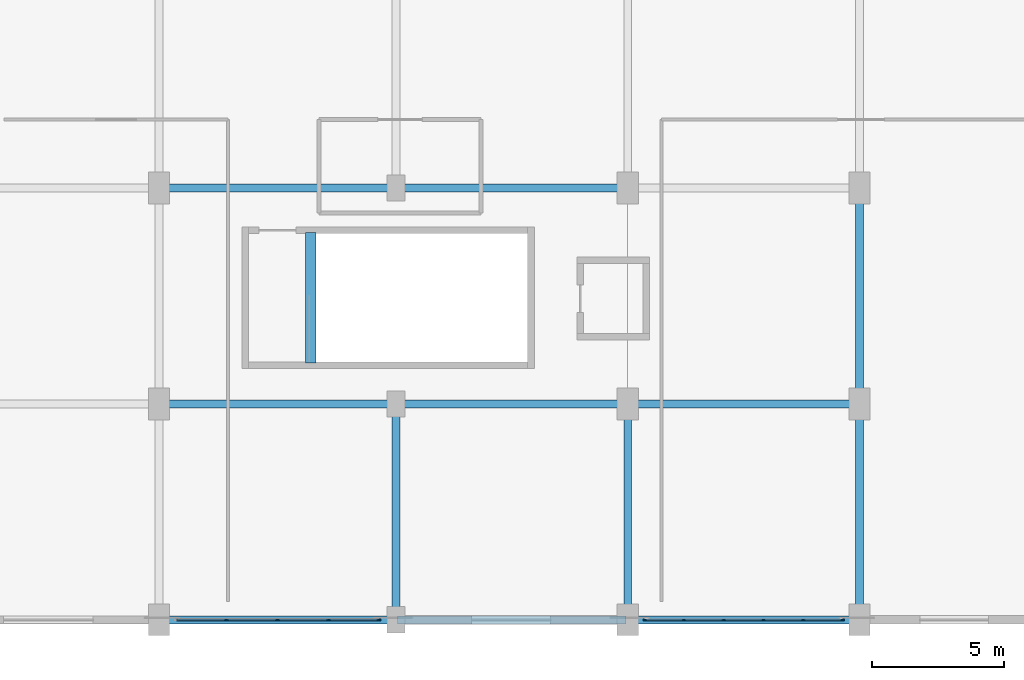
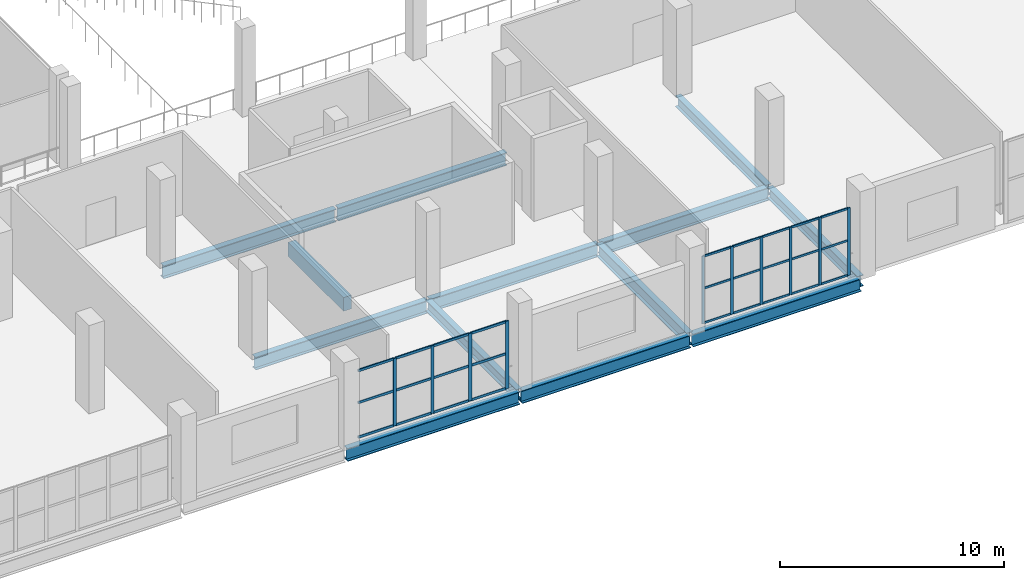
# One storey, part 15 of 104: 37 members, 13 beams, 2 elements without a shape of their own.
"""IFC4 building model written with IfcOpenShell, lengths in metres."""

from ifc_helpers import new_model, si_unit, direction, frame, origin, origin_2d, place, context, subcontext, project, spatial, rectangle, i_section, extrude, material, material_profile, profile_set, type_object, element, aggregate, save


model = new_model("IFC4")

# Units and contexts
model_context = context("Model", 3, precision=1e-05, world=origin(), true_north=direction((0.0, 1.0)))
body_context = subcontext(model_context, "Body", "Model", "MODEL_VIEW")
ifc_project = project(units=[si_unit("LENGTHUNIT", "METRE"), si_unit("AREAUNIT", "SQUARE_METRE"), si_unit("VOLUMEUNIT", "CUBIC_METRE"), si_unit("PLANEANGLEUNIT", "RADIAN"), si_unit("MASSUNIT", "GRAM", prefix="KILO")], contexts=[model_context])

# Site, building, storey
site_placement = place(None, origin())
site = spatial("IfcSite", under=ifc_project, at=site_placement, CompositionType="ELEMENT")
building_placement = place(site_placement, origin())
building = spatial("IfcBuilding", under=site, at=building_placement, Name="Koshinbarg Plaza Stadium", CompositionType="ELEMENT")
storey_placement = place(building_placement, frame((0.0, 0.0, 19.800048828125)))
storey = spatial("IfcBuildingStorey", under=building, at=storey_placement, Name="L04", CompositionType="ELEMENT", Elevation=19.800048828125)

# Beams
ifc_material_1 = material(Name="Concrete C40/50", Category="concrete")
ifc_material_profile_1 = material_profile(ifc_material_1, rectangle(XDim=0.39990234375, YDim=0.75, at=origin_2d()), Name="RC 400x750")
ifc_profile_set_1 = profile_set([ifc_material_profile_1], Name="Concrete C40/50")
beam_type_1 = type_object("IfcBeamType", Name="BM-RCG-03", PredefinedType="USERDEFINED", material=ifc_profile_set_1)
beam_1_placement = place(storey_placement, frame((60.360107421875, 9.75, -0.375), z_axis=(0.0, 1.0, 0.0), x_axis=(-1.0, 0.0, 0.0)))
element("IfcBeam", 1, at=beam_1_placement, inside=storey, type_object=beam_type_1, Name="L04 stair landing header beam C13", ObjectType="GIRDER", PredefinedType="USERDEFINED", context=body_context, shape_type="SweptSolid", body=[
    extrude(rectangle(XDim=0.39990234375, YDim=0.75, at=origin_2d()), origin(), (0.0, 0.0, 1.0), 4.969970703125),
])
ifc_material_2 = material(Name="Steel S355", Category="steel")
ifc_material_profile_2 = material_profile(ifc_material_2, i_section(OverallWidth=0.300048828125, OverallDepth=0.60009765625, WebThickness=0.015380859375, FlangeThickness=0.030029296875, at=origin_2d()), Name="HEB 600")
ifc_profile_set_2 = profile_set([ifc_material_profile_2], Name="Steel S355")
beam_type_2 = type_object("IfcBeamType", Name="BM-SGIR-02", PredefinedType="USERDEFINED", material=ifc_profile_set_2)
for number, where, z_axis, x_axis, name in (
    (2, (63.60009765625, 0.06005859375, -0.60009765625), (0.0, 1.0, 0.0), (-1.0, 0.0, 0.0), "L04 Y girder 9/A-B"),
    (3, (81.199951171875, 0.06005859375, -0.60009765625), (0.0, 1.0, 0.0), (-1.0, 0.0, 0.0), "L04 Y girder 11/A-B"),
):
    element("IfcBeam", number, at=place(storey_placement, frame(where, z_axis=z_axis, x_axis=x_axis)), inside=storey, type_object=beam_type_2, Name=name, ObjectType="GIRDER", PredefinedType="USERDEFINED", context=body_context, shape_type="SweptSolid", body=[
        extrude(i_section(OverallWidth=0.300048828125, OverallDepth=0.60009765625, WebThickness=0.015380859375, FlangeThickness=0.030029296875, at=origin_2d()), origin(), (0.0, 0.0, 1.0), 8.079833984375),
    ])
beam_2_placement = place(storey_placement, frame((81.199951171875, 8.260009765625, -0.60009765625), z_axis=(0.0, 1.0, 0.0), x_axis=(-1.0, 0.0, 0.0)))
element("IfcBeam", 4, at=beam_2_placement, inside=storey, type_object=beam_type_2, Name="L04 Y girder 11/B-C", ObjectType="GIRDER", PredefinedType="USERDEFINED", context=body_context, shape_type="SweptSolid", body=[
    extrude(i_section(OverallWidth=0.300048828125, OverallDepth=0.60009765625, WebThickness=0.015380859375, FlangeThickness=0.030029296875, at=origin_2d()), origin(), (0.0, 0.0, 1.0), 8.080078125),
])
ifc_material_profile_3 = material_profile(ifc_material_2, i_section(OverallWidth=0.300048828125, OverallDepth=0.699951171875, WebThickness=0.01708984375, FlangeThickness=0.031982421875, at=origin_2d()), Name="HEB 700")
ifc_profile_set_3 = profile_set([ifc_material_profile_3], Name="Steel S355")
beam_type_3 = type_object("IfcBeamType", Name="BM-SGIR-03", PredefinedType="USERDEFINED", material=ifc_profile_set_3)
beam_3_placement = place(storey_placement, frame((54.659912109375, 0.0, -0.650146484375), z_axis=(1.0, 0.0, 0.0), x_axis=(0.0, 1.0, 0.0)))
element("IfcBeam", 5, at=beam_3_placement, inside=storey, type_object=beam_type_3, Name="L04 X girder A/8-9", ObjectType="GIRDER", PredefinedType="USERDEFINED", context=body_context, shape_type="SweptSolid", body=[
    extrude(i_section(OverallWidth=0.300048828125, OverallDepth=0.699951171875, WebThickness=0.01708984375, FlangeThickness=0.031982421875, at=origin_2d()), origin(), (0.0, 0.0, 1.0), 8.880126953125),
])
beam_4_placement = place(storey_placement, frame((63.659912109375, 0.0, -0.650146484375), z_axis=(1.0, 0.0, 0.0), x_axis=(0.0, 1.0, 0.0)))
element("IfcBeam", 6, at=beam_4_placement, inside=storey, type_object=beam_type_3, Name="L04 X girder A/9-10", ObjectType="GIRDER", PredefinedType="USERDEFINED", context=body_context, shape_type="SweptSolid", body=[
    extrude(i_section(OverallWidth=0.300048828125, OverallDepth=0.699951171875, WebThickness=0.01708984375, FlangeThickness=0.031982421875, at=origin_2d()), origin(), (0.0, 0.0, 1.0), 8.68017578125),
])
beam_5_placement = place(storey_placement, frame((72.4599609375, 0.0, -0.650146484375), z_axis=(1.0, 0.0, 0.0), x_axis=(0.0, 1.0, 0.0)))
element("IfcBeam", 7, at=beam_5_placement, inside=storey, type_object=beam_type_3, Name="L04 X girder A/10-11", ObjectType="GIRDER", PredefinedType="USERDEFINED", context=body_context, shape_type="SweptSolid", body=[
    extrude(i_section(OverallWidth=0.300048828125, OverallDepth=0.699951171875, WebThickness=0.01708984375, FlangeThickness=0.031982421875, at=origin_2d()), origin(), (0.0, 0.0, 1.0), 8.679931640625),
])
beam_6_placement = place(storey_placement, frame((54.659912109375, 8.199951171875, -0.650146484375), z_axis=(1.0, 0.0, 0.0), x_axis=(0.0, 1.0, 0.0)))
element("IfcBeam", 8, at=beam_6_placement, inside=storey, type_object=beam_type_3, Name="L04 X girder B/8-9", ObjectType="GIRDER", PredefinedType="USERDEFINED", context=body_context, shape_type="SweptSolid", body=[
    extrude(i_section(OverallWidth=0.300048828125, OverallDepth=0.699951171875, WebThickness=0.01708984375, FlangeThickness=0.031982421875, at=origin_2d()), origin(), (0.0, 0.0, 1.0), 8.880126953125),
])
beam_7_placement = place(storey_placement, frame((63.659912109375, 8.199951171875, -0.650146484375), z_axis=(1.0, 0.0, 0.0), x_axis=(0.0, 1.0, 0.0)))
element("IfcBeam", 9, at=beam_7_placement, inside=storey, type_object=beam_type_3, Name="L04 X girder B/9-10", ObjectType="GIRDER", PredefinedType="USERDEFINED", context=body_context, shape_type="SweptSolid", body=[
    extrude(i_section(OverallWidth=0.300048828125, OverallDepth=0.699951171875, WebThickness=0.01708984375, FlangeThickness=0.031982421875, at=origin_2d()), origin(), (0.0, 0.0, 1.0), 8.68017578125),
])
beam_8_placement = place(storey_placement, frame((72.4599609375, 8.199951171875, -0.650146484375), z_axis=(1.0, 0.0, 0.0), x_axis=(0.0, 1.0, 0.0)))
element("IfcBeam", 10, at=beam_8_placement, inside=storey, type_object=beam_type_3, Name="L04 X girder B/10-11", ObjectType="GIRDER", PredefinedType="USERDEFINED", context=body_context, shape_type="SweptSolid", body=[
    extrude(i_section(OverallWidth=0.300048828125, OverallDepth=0.699951171875, WebThickness=0.01708984375, FlangeThickness=0.031982421875, at=origin_2d()), origin(), (0.0, 0.0, 1.0), 8.679931640625),
])
beam_9_placement = place(storey_placement, frame((54.659912109375, 16.39990234375, -0.650146484375), z_axis=(1.0, 0.0, 0.0), x_axis=(0.0, 1.0, 0.0)))
element("IfcBeam", 11, at=beam_9_placement, inside=storey, type_object=beam_type_3, Name="L04 X girder C/8-9", ObjectType="GIRDER", PredefinedType="USERDEFINED", context=body_context, shape_type="SweptSolid", body=[
    extrude(i_section(OverallWidth=0.300048828125, OverallDepth=0.699951171875, WebThickness=0.01708984375, FlangeThickness=0.031982421875, at=origin_2d()), origin(), (0.0, 0.0, 1.0), 8.880126953125),
])
beam_10_placement = place(storey_placement, frame((63.659912109375, 16.39990234375, -0.650146484375), z_axis=(1.0, 0.0, 0.0), x_axis=(0.0, 1.0, 0.0)))
element("IfcBeam", 12, at=beam_10_placement, inside=storey, type_object=beam_type_3, Name="L04 X girder C/9-10", ObjectType="GIRDER", PredefinedType="USERDEFINED", context=body_context, shape_type="SweptSolid", body=[
    extrude(i_section(OverallWidth=0.300048828125, OverallDepth=0.699951171875, WebThickness=0.01708984375, FlangeThickness=0.031982421875, at=origin_2d()), origin(), (0.0, 0.0, 1.0), 8.68017578125),
])
beam_11_placement = place(storey_placement, frame((72.39990234375, 0.06005859375, -0.650146484375), z_axis=(0.0, 1.0, 0.0), x_axis=(-1.0, 0.0, 0.0)))
element("IfcBeam", 13, at=beam_11_placement, inside=storey, type_object=beam_type_3, Name="L04 Y girder 10/A-B", ObjectType="GIRDER", PredefinedType="USERDEFINED", context=body_context, shape_type="SweptSolid", body=[
    extrude(i_section(OverallWidth=0.300048828125, OverallDepth=0.699951171875, WebThickness=0.01708984375, FlangeThickness=0.031982421875, at=origin_2d()), origin(), (0.0, 0.0, 1.0), 8.079833984375),
])

# Curtain wall, members
ifc_material_3 = material(Name="Thermally broken anodised aluminium and low-E double glazing", Category="aluminium")
curtain_wall_type_1 = type_object("IfcCurtainWallType", Name="CW-SYS-13", PredefinedType="NOTDEFINED", material=ifc_material_3)
curtain_wall_1_placement = place(storey_placement, origin())
curtain_wall_1 = element("IfcCurtainWall", 14, at=curtain_wall_1_placement, inside=storey, type_object=curtain_wall_type_1, Name="L04 unitised curtain wall CW-L04-108", PredefinedType="NOTDEFINED")
ifc_material_4 = material(Name="Anodised aluminium mullion", Category="aluminium")
ifc_material_profile_4 = material_profile(ifc_material_4, rectangle(XDim=0.06005859375, YDim=0.139892578125, at=origin_2d()), Name="ALU 60x140")
ifc_profile_set_4 = profile_set([ifc_material_profile_4], Name="Anodised aluminium mullion")
member_type_1 = type_object("IfcMemberType", Name="CW-MUL-01", PredefinedType="MULLION", material=ifc_profile_set_4)
member_1_placement = place(storey_placement, frame((80.550048828125, 0.0, 0.0), z_axis=(0.0, 0.0, 1.0), x_axis=(0.0, -1.0, 0.0)))
member_1 = element("IfcMember", 15, at=member_1_placement, type_object=member_type_1, Name="CW13 mullion 1", PredefinedType="MULLION", context=body_context, shape_type="SweptSolid", body=[
    extrude(rectangle(XDim=0.06005859375, YDim=0.139892578125, at=origin_2d()), origin(), (0.0, 0.0, 1.0), 3.679931640625),
])
member_2_placement = place(storey_placement, frame((79.068115234375, 0.0, 0.0), z_axis=(0.0, 0.0, 1.0), x_axis=(0.0, -1.0, 0.0)))
member_2 = element("IfcMember", 16, at=member_2_placement, type_object=member_type_1, Name="CW13 mullion 2", PredefinedType="MULLION", context=body_context, shape_type="SweptSolid", body=[
    extrude(rectangle(XDim=0.06005859375, YDim=0.139892578125, at=origin_2d()), origin(), (0.0, 0.0, 1.0), 3.679931640625),
])
member_3_placement = place(storey_placement, frame((77.555908203125, 0.0, 0.0), z_axis=(0.0, 0.0, 1.0), x_axis=(0.0, -1.0, 0.0)))
member_3 = element("IfcMember", 17, at=member_3_placement, type_object=member_type_1, Name="CW13 mullion 3", PredefinedType="MULLION", context=body_context, shape_type="SweptSolid", body=[
    extrude(rectangle(XDim=0.06005859375, YDim=0.139892578125, at=origin_2d()), origin(), (0.0, 0.0, 1.0), 3.679931640625),
])
member_4_placement = place(storey_placement, frame((76.0439453125, 0.0, 0.0), z_axis=(0.0, 0.0, 1.0), x_axis=(0.0, -1.0, 0.0)))
member_4 = element("IfcMember", 18, at=member_4_placement, type_object=member_type_1, Name="CW13 mullion 4", PredefinedType="MULLION", context=body_context, shape_type="SweptSolid", body=[
    extrude(rectangle(XDim=0.06005859375, YDim=0.139892578125, at=origin_2d()), origin(), (0.0, 0.0, 1.0), 3.679931640625),
])
member_5_placement = place(storey_placement, frame((74.531982421875, 0.0, 0.0), z_axis=(0.0, 0.0, 1.0), x_axis=(0.0, -1.0, 0.0)))
member_5 = element("IfcMember", 19, at=member_5_placement, type_object=member_type_1, Name="CW13 mullion 5", PredefinedType="MULLION", context=body_context, shape_type="SweptSolid", body=[
    extrude(rectangle(XDim=0.06005859375, YDim=0.139892578125, at=origin_2d()), origin(), (0.0, 0.0, 1.0), 3.679931640625),
])
member_6_placement = place(storey_placement, frame((73.050048828125, 0.0, 0.0), z_axis=(0.0, 0.0, 1.0), x_axis=(0.0, -1.0, 0.0)))
member_6 = element("IfcMember", 20, at=member_6_placement, type_object=member_type_1, Name="CW13 mullion 6", PredefinedType="MULLION", context=body_context, shape_type="SweptSolid", body=[
    extrude(rectangle(XDim=0.06005859375, YDim=0.139892578125, at=origin_2d()), origin(), (0.0, 0.0, 1.0), 3.679931640625),
])

curtain_wall_type_2 = type_object("IfcCurtainWallType", Name="CW-SYS-14", PredefinedType="NOTDEFINED", material=ifc_material_3)
curtain_wall_2_placement = place(storey_placement, origin())
curtain_wall_2 = element("IfcCurtainWall", 21, at=curtain_wall_2_placement, inside=storey, type_object=curtain_wall_type_2, Name="L04 unitised curtain wall CW-L04-109", PredefinedType="NOTDEFINED")
ifc_material_profile_5 = material_profile(ifc_material_4, rectangle(XDim=0.06005859375, YDim=0.159912109375, at=origin_2d()), Name="ALU 60x160")
ifc_profile_set_5 = profile_set([ifc_material_profile_5], Name="Anodised aluminium mullion")
member_type_2 = type_object("IfcMemberType", Name="CW-MUL-02", PredefinedType="MULLION", material=ifc_profile_set_5)
member_7_placement = place(storey_placement, frame((62.949951171875, 0.0, 0.0), z_axis=(0.0, 0.0, 1.0), x_axis=(0.0, -1.0, 0.0)))
member_7 = element("IfcMember", 22, at=member_7_placement, type_object=member_type_2, Name="CW14 mullion 1", PredefinedType="MULLION", context=body_context, shape_type="SweptSolid", body=[
    extrude(rectangle(XDim=0.06005859375, YDim=0.159912109375, at=origin_2d()), origin(), (0.0, 0.0, 1.0), 3.679931640625),
])
member_8_placement = place(storey_placement, frame((61.0400390625, 0.0, 0.0), z_axis=(0.0, 0.0, 1.0), x_axis=(0.0, -1.0, 0.0)))
member_8 = element("IfcMember", 23, at=member_8_placement, type_object=member_type_2, Name="CW14 mullion 2", PredefinedType="MULLION", context=body_context, shape_type="SweptSolid", body=[
    extrude(rectangle(XDim=0.06005859375, YDim=0.159912109375, at=origin_2d()), origin(), (0.0, 0.0, 1.0), 3.679931640625),
])
member_9_placement = place(storey_placement, frame((59.10009765625, 0.0, 0.0), z_axis=(0.0, 0.0, 1.0), x_axis=(0.0, -1.0, 0.0)))
member_9 = element("IfcMember", 24, at=member_9_placement, type_object=member_type_2, Name="CW14 mullion 3", PredefinedType="MULLION", context=body_context, shape_type="SweptSolid", body=[
    extrude(rectangle(XDim=0.06005859375, YDim=0.159912109375, at=origin_2d()), origin(), (0.0, 0.0, 1.0), 3.679931640625),
])
member_10_placement = place(storey_placement, frame((57.159912109375, 0.0, 0.0), z_axis=(0.0, 0.0, 1.0), x_axis=(0.0, -1.0, 0.0)))
member_10 = element("IfcMember", 25, at=member_10_placement, type_object=member_type_2, Name="CW14 mullion 4", PredefinedType="MULLION", context=body_context, shape_type="SweptSolid", body=[
    extrude(rectangle(XDim=0.06005859375, YDim=0.159912109375, at=origin_2d()), origin(), (0.0, 0.0, 1.0), 3.679931640625),
])

# Member
ifc_material_5 = material(Name="Anodised aluminium transom", Category="aluminium")
ifc_material_profile_6 = material_profile(ifc_material_5, rectangle(XDim=0.06005859375, YDim=0.110107421875, at=origin_2d()), Name="ALU 60x110")
ifc_profile_set_6 = profile_set([ifc_material_profile_6], Name="Anodised aluminium transom")
member_type_3 = type_object("IfcMemberType", Name="CW-TRN-01", PredefinedType="USERDEFINED", material=ifc_profile_set_6)
member_11_placement = place(storey_placement, frame((80.52001953125, 0.0, 0.030029296875), z_axis=(-1.0, 0.0, 0.0), x_axis=(0.0, -1.0, 0.0)))
member_11 = element("IfcMember", 26, at=member_11_placement, type_object=member_type_3, Name="CW13 transom 1.1", ObjectType="TRANSOM", PredefinedType="USERDEFINED", context=body_context, shape_type="SweptSolid", body=[
    extrude(rectangle(XDim=0.06005859375, YDim=0.110107421875, at=origin_2d()), origin(), (0.0, 0.0, 1.0), 1.422119140625),
])

member_12_placement = place(storey_placement, frame((80.52001953125, 0.0, 1.91357421875), z_axis=(-1.0, 0.0, 0.0), x_axis=(0.0, -1.0, 0.0)))
member_12 = element("IfcMember", 27, at=member_12_placement, type_object=member_type_3, Name="CW13 transom 1.2", ObjectType="TRANSOM", PredefinedType="USERDEFINED", context=body_context, shape_type="SweptSolid", body=[
    extrude(rectangle(XDim=0.06005859375, YDim=0.110107421875, at=origin_2d()), origin(), (0.0, 0.0, 1.0), 1.422119140625),
])

member_13_placement = place(storey_placement, frame((80.52001953125, 0.0, 3.64990234375), z_axis=(-1.0, 0.0, 0.0), x_axis=(0.0, -1.0, 0.0)))
member_13 = element("IfcMember", 28, at=member_13_placement, type_object=member_type_3, Name="CW13 transom 1.3", ObjectType="TRANSOM", PredefinedType="USERDEFINED", context=body_context, shape_type="SweptSolid", body=[
    extrude(rectangle(XDim=0.06005859375, YDim=0.110107421875, at=origin_2d()), origin(), (0.0, 0.0, 1.0), 1.422119140625),
])

member_14_placement = place(storey_placement, frame((79.0380859375, 0.0, 0.030029296875), z_axis=(-1.0, 0.0, 0.0), x_axis=(0.0, -1.0, 0.0)))
member_14 = element("IfcMember", 29, at=member_14_placement, type_object=member_type_3, Name="CW13 transom 2.1", ObjectType="TRANSOM", PredefinedType="USERDEFINED", context=body_context, shape_type="SweptSolid", body=[
    extrude(rectangle(XDim=0.06005859375, YDim=0.110107421875, at=origin_2d()), origin(), (0.0, 0.0, 1.0), 1.4521484375),
])

member_15_placement = place(storey_placement, frame((79.0380859375, 0.0, 1.91357421875), z_axis=(-1.0, 0.0, 0.0), x_axis=(0.0, -1.0, 0.0)))
member_15 = element("IfcMember", 30, at=member_15_placement, type_object=member_type_3, Name="CW13 transom 2.2", ObjectType="TRANSOM", PredefinedType="USERDEFINED", context=body_context, shape_type="SweptSolid", body=[
    extrude(rectangle(XDim=0.06005859375, YDim=0.110107421875, at=origin_2d()), origin(), (0.0, 0.0, 1.0), 1.4521484375),
])

member_16_placement = place(storey_placement, frame((79.0380859375, 0.0, 3.64990234375), z_axis=(-1.0, 0.0, 0.0), x_axis=(0.0, -1.0, 0.0)))
member_16 = element("IfcMember", 31, at=member_16_placement, type_object=member_type_3, Name="CW13 transom 2.3", ObjectType="TRANSOM", PredefinedType="USERDEFINED", context=body_context, shape_type="SweptSolid", body=[
    extrude(rectangle(XDim=0.06005859375, YDim=0.110107421875, at=origin_2d()), origin(), (0.0, 0.0, 1.0), 1.4521484375),
])

member_17_placement = place(storey_placement, frame((77.52587890625, 0.0, 0.030029296875), z_axis=(-1.0, 0.0, 0.0), x_axis=(0.0, -1.0, 0.0)))
member_17 = element("IfcMember", 32, at=member_17_placement, type_object=member_type_3, Name="CW13 transom 3.1", ObjectType="TRANSOM", PredefinedType="USERDEFINED", context=body_context, shape_type="SweptSolid", body=[
    extrude(rectangle(XDim=0.06005859375, YDim=0.110107421875, at=origin_2d()), origin(), (0.0, 0.0, 1.0), 1.451904296875),
])

member_18_placement = place(storey_placement, frame((77.52587890625, 0.0, 1.91357421875), z_axis=(-1.0, 0.0, 0.0), x_axis=(0.0, -1.0, 0.0)))
member_18 = element("IfcMember", 33, at=member_18_placement, type_object=member_type_3, Name="CW13 transom 3.2", ObjectType="TRANSOM", PredefinedType="USERDEFINED", context=body_context, shape_type="SweptSolid", body=[
    extrude(rectangle(XDim=0.06005859375, YDim=0.110107421875, at=origin_2d()), origin(), (0.0, 0.0, 1.0), 1.451904296875),
])

member_19_placement = place(storey_placement, frame((77.52587890625, 0.0, 3.64990234375), z_axis=(-1.0, 0.0, 0.0), x_axis=(0.0, -1.0, 0.0)))
member_19 = element("IfcMember", 34, at=member_19_placement, type_object=member_type_3, Name="CW13 transom 3.3", ObjectType="TRANSOM", PredefinedType="USERDEFINED", context=body_context, shape_type="SweptSolid", body=[
    extrude(rectangle(XDim=0.06005859375, YDim=0.110107421875, at=origin_2d()), origin(), (0.0, 0.0, 1.0), 1.451904296875),
])

member_20_placement = place(storey_placement, frame((76.013916015625, 0.0, 0.030029296875), z_axis=(-1.0, 0.0, 0.0), x_axis=(0.0, -1.0, 0.0)))
member_20 = element("IfcMember", 35, at=member_20_placement, type_object=member_type_3, Name="CW13 transom 4.1", ObjectType="TRANSOM", PredefinedType="USERDEFINED", context=body_context, shape_type="SweptSolid", body=[
    extrude(rectangle(XDim=0.06005859375, YDim=0.110107421875, at=origin_2d()), origin(), (0.0, 0.0, 1.0), 1.451904296875),
])

member_21_placement = place(storey_placement, frame((76.013916015625, 0.0, 1.91357421875), z_axis=(-1.0, 0.0, 0.0), x_axis=(0.0, -1.0, 0.0)))
member_21 = element("IfcMember", 36, at=member_21_placement, type_object=member_type_3, Name="CW13 transom 4.2", ObjectType="TRANSOM", PredefinedType="USERDEFINED", context=body_context, shape_type="SweptSolid", body=[
    extrude(rectangle(XDim=0.06005859375, YDim=0.110107421875, at=origin_2d()), origin(), (0.0, 0.0, 1.0), 1.451904296875),
])

member_22_placement = place(storey_placement, frame((76.013916015625, 0.0, 3.64990234375), z_axis=(-1.0, 0.0, 0.0), x_axis=(0.0, -1.0, 0.0)))
member_22 = element("IfcMember", 37, at=member_22_placement, type_object=member_type_3, Name="CW13 transom 4.3", ObjectType="TRANSOM", PredefinedType="USERDEFINED", context=body_context, shape_type="SweptSolid", body=[
    extrude(rectangle(XDim=0.06005859375, YDim=0.110107421875, at=origin_2d()), origin(), (0.0, 0.0, 1.0), 1.451904296875),
])

member_23_placement = place(storey_placement, frame((74.501953125, 0.0, 0.030029296875), z_axis=(-1.0, 0.0, 0.0), x_axis=(0.0, -1.0, 0.0)))
member_23 = element("IfcMember", 38, at=member_23_placement, type_object=member_type_3, Name="CW13 transom 5.1", ObjectType="TRANSOM", PredefinedType="USERDEFINED", context=body_context, shape_type="SweptSolid", body=[
    extrude(rectangle(XDim=0.06005859375, YDim=0.110107421875, at=origin_2d()), origin(), (0.0, 0.0, 1.0), 1.421875),
])

member_24_placement = place(storey_placement, frame((74.501953125, 0.0, 1.91357421875), z_axis=(-1.0, 0.0, 0.0), x_axis=(0.0, -1.0, 0.0)))
member_24 = element("IfcMember", 39, at=member_24_placement, type_object=member_type_3, Name="CW13 transom 5.2", ObjectType="TRANSOM", PredefinedType="USERDEFINED", context=body_context, shape_type="SweptSolid", body=[
    extrude(rectangle(XDim=0.06005859375, YDim=0.110107421875, at=origin_2d()), origin(), (0.0, 0.0, 1.0), 1.421875),
])

member_25_placement = place(storey_placement, frame((74.501953125, 0.0, 3.64990234375), z_axis=(-1.0, 0.0, 0.0), x_axis=(0.0, -1.0, 0.0)))
member_25 = element("IfcMember", 40, at=member_25_placement, type_object=member_type_3, Name="CW13 transom 5.3", ObjectType="TRANSOM", PredefinedType="USERDEFINED", context=body_context, shape_type="SweptSolid", body=[
    extrude(rectangle(XDim=0.06005859375, YDim=0.110107421875, at=origin_2d()), origin(), (0.0, 0.0, 1.0), 1.421875),
])

aggregate(curtain_wall_1, [member_1, member_2, member_3, member_4, member_5, member_6, member_11, member_12, member_13, member_14, member_15, member_16, member_17, member_18, member_19, member_20, member_21, member_22, member_23, member_24, member_25])

ifc_material_profile_7 = material_profile(ifc_material_5, rectangle(XDim=0.06005859375, YDim=0.1298828125, at=origin_2d()), Name="ALU 60x130")
ifc_profile_set_7 = profile_set([ifc_material_profile_7], Name="Anodised aluminium transom")
member_type_4 = type_object("IfcMemberType", Name="CW-TRN-02", PredefinedType="USERDEFINED", material=ifc_profile_set_7)
member_26_placement = place(storey_placement, frame((62.919921875, 0.0, 0.030029296875), z_axis=(-1.0, 0.0, 0.0), x_axis=(0.0, -1.0, 0.0)))
member_26 = element("IfcMember", 41, at=member_26_placement, type_object=member_type_4, Name="CW14 transom 1.1", ObjectType="TRANSOM", PredefinedType="USERDEFINED", context=body_context, shape_type="SweptSolid", body=[
    extrude(rectangle(XDim=0.06005859375, YDim=0.1298828125, at=origin_2d()), origin(), (0.0, 0.0, 1.0), 1.849853515625),
])

member_27_placement = place(storey_placement, frame((62.919921875, 0.0, 1.91357421875), z_axis=(-1.0, 0.0, 0.0), x_axis=(0.0, -1.0, 0.0)))
member_27 = element("IfcMember", 42, at=member_27_placement, type_object=member_type_4, Name="CW14 transom 1.2", ObjectType="TRANSOM", PredefinedType="USERDEFINED", context=body_context, shape_type="SweptSolid", body=[
    extrude(rectangle(XDim=0.06005859375, YDim=0.1298828125, at=origin_2d()), origin(), (0.0, 0.0, 1.0), 1.849853515625),
])

member_28_placement = place(storey_placement, frame((62.919921875, 0.0, 3.64990234375), z_axis=(-1.0, 0.0, 0.0), x_axis=(0.0, -1.0, 0.0)))
member_28 = element("IfcMember", 43, at=member_28_placement, type_object=member_type_4, Name="CW14 transom 1.3", ObjectType="TRANSOM", PredefinedType="USERDEFINED", context=body_context, shape_type="SweptSolid", body=[
    extrude(rectangle(XDim=0.06005859375, YDim=0.1298828125, at=origin_2d()), origin(), (0.0, 0.0, 1.0), 1.849853515625),
])

member_29_placement = place(storey_placement, frame((61.010009765625, 0.0, 0.030029296875), z_axis=(-1.0, 0.0, 0.0), x_axis=(0.0, -1.0, 0.0)))
member_29 = element("IfcMember", 44, at=member_29_placement, type_object=member_type_4, Name="CW14 transom 2.1", ObjectType="TRANSOM", PredefinedType="USERDEFINED", context=body_context, shape_type="SweptSolid", body=[
    extrude(rectangle(XDim=0.06005859375, YDim=0.1298828125, at=origin_2d()), origin(), (0.0, 0.0, 1.0), 1.880126953125),
])

member_30_placement = place(storey_placement, frame((61.010009765625, 0.0, 1.91357421875), z_axis=(-1.0, 0.0, 0.0), x_axis=(0.0, -1.0, 0.0)))
member_30 = element("IfcMember", 45, at=member_30_placement, type_object=member_type_4, Name="CW14 transom 2.2", ObjectType="TRANSOM", PredefinedType="USERDEFINED", context=body_context, shape_type="SweptSolid", body=[
    extrude(rectangle(XDim=0.06005859375, YDim=0.1298828125, at=origin_2d()), origin(), (0.0, 0.0, 1.0), 1.880126953125),
])

member_31_placement = place(storey_placement, frame((61.010009765625, 0.0, 3.64990234375), z_axis=(-1.0, 0.0, 0.0), x_axis=(0.0, -1.0, 0.0)))
member_31 = element("IfcMember", 46, at=member_31_placement, type_object=member_type_4, Name="CW14 transom 2.3", ObjectType="TRANSOM", PredefinedType="USERDEFINED", context=body_context, shape_type="SweptSolid", body=[
    extrude(rectangle(XDim=0.06005859375, YDim=0.1298828125, at=origin_2d()), origin(), (0.0, 0.0, 1.0), 1.880126953125),
])

member_32_placement = place(storey_placement, frame((59.070068359375, 0.0, 0.030029296875), z_axis=(-1.0, 0.0, 0.0), x_axis=(0.0, -1.0, 0.0)))
member_32 = element("IfcMember", 47, at=member_32_placement, type_object=member_type_4, Name="CW14 transom 3.1", ObjectType="TRANSOM", PredefinedType="USERDEFINED", context=body_context, shape_type="SweptSolid", body=[
    extrude(rectangle(XDim=0.06005859375, YDim=0.1298828125, at=origin_2d()), origin(), (0.0, 0.0, 1.0), 1.880126953125),
])

member_33_placement = place(storey_placement, frame((59.070068359375, 0.0, 1.91357421875), z_axis=(-1.0, 0.0, 0.0), x_axis=(0.0, -1.0, 0.0)))
member_33 = element("IfcMember", 48, at=member_33_placement, type_object=member_type_4, Name="CW14 transom 3.2", ObjectType="TRANSOM", PredefinedType="USERDEFINED", context=body_context, shape_type="SweptSolid", body=[
    extrude(rectangle(XDim=0.06005859375, YDim=0.1298828125, at=origin_2d()), origin(), (0.0, 0.0, 1.0), 1.880126953125),
])

member_34_placement = place(storey_placement, frame((59.070068359375, 0.0, 3.64990234375), z_axis=(-1.0, 0.0, 0.0), x_axis=(0.0, -1.0, 0.0)))
member_34 = element("IfcMember", 49, at=member_34_placement, type_object=member_type_4, Name="CW14 transom 3.3", ObjectType="TRANSOM", PredefinedType="USERDEFINED", context=body_context, shape_type="SweptSolid", body=[
    extrude(rectangle(XDim=0.06005859375, YDim=0.1298828125, at=origin_2d()), origin(), (0.0, 0.0, 1.0), 1.880126953125),
])

member_35_placement = place(storey_placement, frame((57.1298828125, 0.0, 0.030029296875), z_axis=(-1.0, 0.0, 0.0), x_axis=(0.0, -1.0, 0.0)))
member_35 = element("IfcMember", 50, at=member_35_placement, type_object=member_type_4, Name="CW14 transom 4.1", ObjectType="TRANSOM", PredefinedType="USERDEFINED", context=body_context, shape_type="SweptSolid", body=[
    extrude(rectangle(XDim=0.06005859375, YDim=0.1298828125, at=origin_2d()), origin(), (0.0, 0.0, 1.0), 1.849853515625),
])

member_36_placement = place(storey_placement, frame((57.1298828125, 0.0, 1.91357421875), z_axis=(-1.0, 0.0, 0.0), x_axis=(0.0, -1.0, 0.0)))
member_36 = element("IfcMember", 51, at=member_36_placement, type_object=member_type_4, Name="CW14 transom 4.2", ObjectType="TRANSOM", PredefinedType="USERDEFINED", context=body_context, shape_type="SweptSolid", body=[
    extrude(rectangle(XDim=0.06005859375, YDim=0.1298828125, at=origin_2d()), origin(), (0.0, 0.0, 1.0), 1.849853515625),
])

member_37_placement = place(storey_placement, frame((57.1298828125, 0.0, 3.64990234375), z_axis=(-1.0, 0.0, 0.0), x_axis=(0.0, -1.0, 0.0)))
member_37 = element("IfcMember", 52, at=member_37_placement, type_object=member_type_4, Name="CW14 transom 4.3", ObjectType="TRANSOM", PredefinedType="USERDEFINED", context=body_context, shape_type="SweptSolid", body=[
    extrude(rectangle(XDim=0.06005859375, YDim=0.1298828125, at=origin_2d()), origin(), (0.0, 0.0, 1.0), 1.849853515625),
])

aggregate(curtain_wall_2, [member_7, member_8, member_9, member_10, member_26, member_27, member_28, member_29, member_30, member_31, member_32, member_33, member_34, member_35, member_36, member_37])

save(model, "model.ifc")
